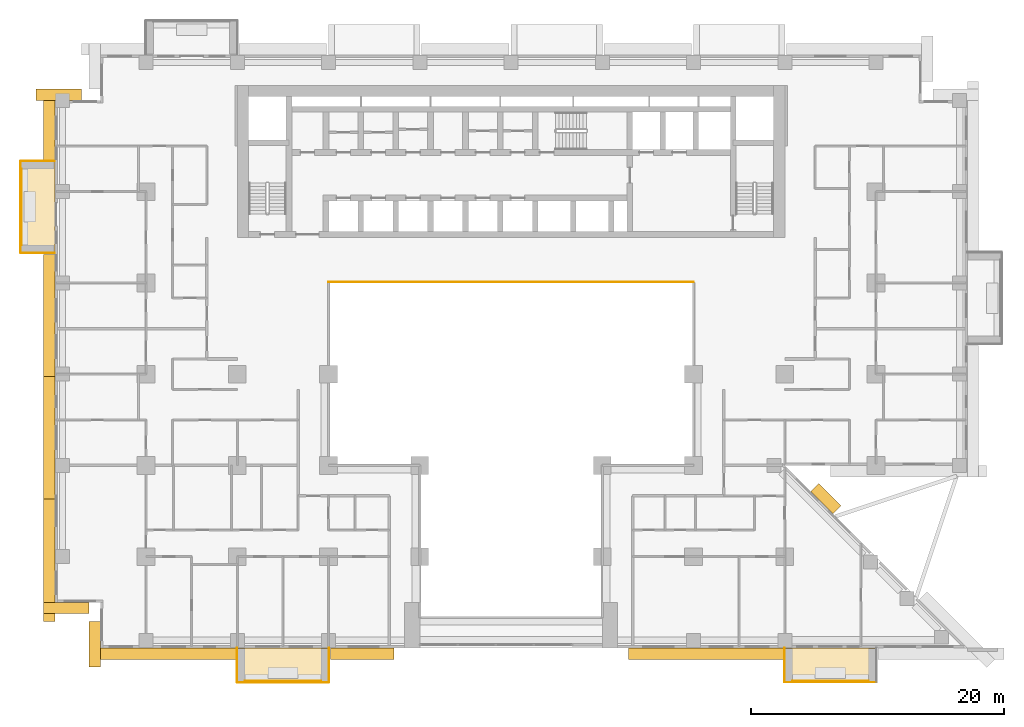
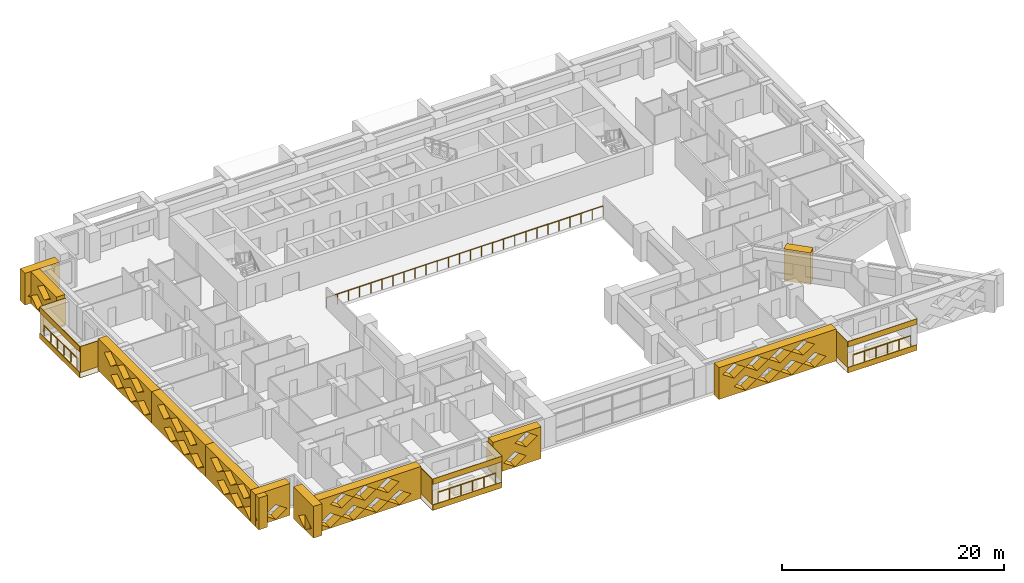
# One storey, part 14 of 17: 25 coverings, 4 railings.
"""IFC4 building model written with IfcOpenShell, lengths in metres."""

from ifc_helpers import new_model, si_unit, direction, frame, origin, origin_2d, place, context, subcontext, project, spatial, polyline, circle, outline, extrude, material, layer, layer_set, type_object, element, save


model = new_model("IFC4")

# Units and contexts
model_context = context("Model", 3, precision=1e-05, world=origin(), true_north=direction((0.0, 1.0)))
body_context = subcontext(model_context, "Body", "Model", "MODEL_VIEW")
ifc_project = project(units=[si_unit("LENGTHUNIT", "METRE"), si_unit("AREAUNIT", "SQUARE_METRE"), si_unit("VOLUMEUNIT", "CUBIC_METRE"), si_unit("PLANEANGLEUNIT", "RADIAN"), si_unit("MASSUNIT", "GRAM", prefix="KILO")], contexts=[model_context])

# Site, building, storey
site_placement = place(None, origin())
site = spatial("IfcSite", under=ifc_project, at=site_placement, CompositionType="ELEMENT")
building_placement = place(site_placement, origin())
building = spatial("IfcBuilding", under=site, at=building_placement, Name="Saffron Iwan Residences", CompositionType="ELEMENT")
storey_placement = place(building_placement, frame((0.0, 0.0, 55.0)))
storey = spatial("IfcBuildingStorey", under=building, at=storey_placement, Name="L13", CompositionType="ELEMENT", Elevation=55.0)

# Railings
ifc_material_1 = material(Name="Stainless steel 316", Category="steel")
railing_type_1 = type_object("IfcRailingType", Name="Atrium guard 1150", PredefinedType="GUARDRAIL", material=ifc_material_1)
railing_1_placement = place(storey_placement, frame((36.0, 62.47509765625, 0.0)))
element("IfcRailing", 1, at=railing_1_placement, inside=storey, type_object=railing_type_1, Name="Atrium guard L13", PredefinedType="GUARDRAIL", context=body_context, shape_type="SweptSolid", body=[
    extrude(circle(Radius=0.02392578125, at=origin_2d()), frame((0.0, 0.0, 1.1259765625), z_axis=(1.0, 0.0, 0.0), x_axis=(0.0, 1.0, 0.0)), (0.0, 0.0, 1.0), 28.800048828125),
    extrude(circle(Radius=0.02099609375, at=origin_2d()), origin(), (0.0, 0.0, 1.0), 1.101806640625),
    extrude(circle(Radius=0.02099609375, at=origin_2d()), frame((1.152099609375, 0.0, 0.0)), (0.0, 0.0, 1.0), 1.101806640625),
    extrude(circle(Radius=0.02099609375, at=origin_2d()), frame((2.303955078125, 0.0, 0.0)), (0.0, 0.0, 1.0), 1.101806640625),
    extrude(circle(Radius=0.02099609375, at=origin_2d()), frame((3.4560546875, 0.0, 0.0)), (0.0, 0.0, 1.0), 1.101806640625),
    extrude(circle(Radius=0.02099609375, at=origin_2d()), frame((4.60791015625, 0.0, 0.0)), (0.0, 0.0, 1.0), 1.101806640625),
    extrude(circle(Radius=0.02099609375, at=origin_2d()), frame((5.760009765625, 0.0, 0.0)), (0.0, 0.0, 1.0), 1.101806640625),
    extrude(circle(Radius=0.02099609375, at=origin_2d()), frame((6.912109375, 0.0, 0.0)), (0.0, 0.0, 1.0), 1.101806640625),
    extrude(circle(Radius=0.02099609375, at=origin_2d()), frame((8.06396484375, 0.0, 0.0)), (0.0, 0.0, 1.0), 1.101806640625),
    extrude(circle(Radius=0.02099609375, at=origin_2d()), frame((9.216064453125, 0.0, 0.0)), (0.0, 0.0, 1.0), 1.101806640625),
    extrude(circle(Radius=0.02099609375, at=origin_2d()), frame((10.367919921875, 0.0, 0.0)), (0.0, 0.0, 1.0), 1.101806640625),
    extrude(circle(Radius=0.02099609375, at=origin_2d()), frame((11.52001953125, 0.0, 0.0)), (0.0, 0.0, 1.0), 1.101806640625),
    extrude(circle(Radius=0.02099609375, at=origin_2d()), frame((12.672119140625, 0.0, 0.0)), (0.0, 0.0, 1.0), 1.101806640625),
    extrude(circle(Radius=0.02099609375, at=origin_2d()), frame((13.823974609375, 0.0, 0.0)), (0.0, 0.0, 1.0), 1.101806640625),
    extrude(circle(Radius=0.02099609375, at=origin_2d()), frame((14.97607421875, 0.0, 0.0)), (0.0, 0.0, 1.0), 1.101806640625),
    extrude(circle(Radius=0.02099609375, at=origin_2d()), frame((16.1279296875, 0.0, 0.0)), (0.0, 0.0, 1.0), 1.101806640625),
    extrude(circle(Radius=0.02099609375, at=origin_2d()), frame((17.280029296875, 0.0, 0.0)), (0.0, 0.0, 1.0), 1.101806640625),
    extrude(circle(Radius=0.02099609375, at=origin_2d()), frame((18.43212890625, 0.0, 0.0)), (0.0, 0.0, 1.0), 1.101806640625),
    extrude(circle(Radius=0.02099609375, at=origin_2d()), frame((19.583984375, 0.0, 0.0)), (0.0, 0.0, 1.0), 1.101806640625),
    extrude(circle(Radius=0.02099609375, at=origin_2d()), frame((20.736083984375, 0.0, 0.0)), (0.0, 0.0, 1.0), 1.101806640625),
    extrude(circle(Radius=0.02099609375, at=origin_2d()), frame((21.887939453125, 0.0, 0.0)), (0.0, 0.0, 1.0), 1.101806640625),
    extrude(circle(Radius=0.02099609375, at=origin_2d()), frame((23.0400390625, 0.0, 0.0)), (0.0, 0.0, 1.0), 1.101806640625),
    extrude(circle(Radius=0.02099609375, at=origin_2d()), frame((24.192138671875, 0.0, 0.0)), (0.0, 0.0, 1.0), 1.101806640625),
    extrude(circle(Radius=0.02099609375, at=origin_2d()), frame((25.343994140625, 0.0, 0.0)), (0.0, 0.0, 1.0), 1.101806640625),
    extrude(circle(Radius=0.02099609375, at=origin_2d()), frame((26.49609375, 0.0, 0.0)), (0.0, 0.0, 1.0), 1.101806640625),
    extrude(circle(Radius=0.02099609375, at=origin_2d()), frame((27.64794921875, 0.0, 0.0)), (0.0, 0.0, 1.0), 1.101806640625),
    extrude(circle(Radius=0.02099609375, at=origin_2d()), frame((28.800048828125, 0.0, 0.0)), (0.0, 0.0, 1.0), 1.101806640625),
])
railing_type_2 = type_object("IfcRailingType", Name="BALCONY GUARD 1150", PredefinedType="GUARDRAIL", material=ifc_material_1)
railing_2_placement = place(storey_placement, frame((11.77490234375, 71.39990234375, 0.0)))
element("IfcRailing", 2, at=railing_2_placement, inside=storey, type_object=railing_type_2, Name="Balcony guard L13 F8-0", PredefinedType="GUARDRAIL", context=body_context, shape_type="SweptSolid", body=[
    extrude(circle(Radius=0.02392578125, at=origin_2d()), frame((0.0, 0.0, 1.1259765625), z_axis=(0.0, -1.0, 0.0), x_axis=(1.0, 0.0, 0.0)), (0.0, 0.0, 1.0), 6.0),
    extrude(circle(Radius=0.02099609375, at=origin_2d()), origin(), (0.0, 0.0, 1.0), 1.101806640625),
    extrude(circle(Radius=0.02099609375, at=origin_2d()), frame((0.0, -1.199951171875, 0.0)), (0.0, 0.0, 1.0), 1.101806640625),
    extrude(circle(Radius=0.02099609375, at=origin_2d()), frame((0.0, -2.39990234375, 0.0)), (0.0, 0.0, 1.0), 1.101806640625),
    extrude(circle(Radius=0.02099609375, at=origin_2d()), frame((0.0, -3.60009765625, 0.0)), (0.0, 0.0, 1.0), 1.101806640625),
    extrude(circle(Radius=0.02099609375, at=origin_2d()), frame((0.0, -4.800048828125, 0.0)), (0.0, 0.0, 1.0), 1.101806640625),
    extrude(circle(Radius=0.02099609375, at=origin_2d()), frame((0.0, -6.0, 0.0)), (0.0, 0.0, 1.0), 1.101806640625),
])
for number, where, name in (
    (3, (29.39990234375, 30.97509765625, 0.0), "Balcony guard L13 11-0"),
    (4, (72.60009765625, 30.97509765625, 0.0), "Balcony guard L13 11-1"),
):
    element("IfcRailing", number, at=place(storey_placement, frame(where)), inside=storey, type_object=railing_type_2, Name=name, PredefinedType="GUARDRAIL", context=body_context, shape_type="SweptSolid", body=[
        extrude(circle(Radius=0.02392578125, at=origin_2d()), frame((0.0, 0.0, 1.1259765625), z_axis=(1.0, 0.0, 0.0), x_axis=(0.0, 1.0, 0.0)), (0.0, 0.0, 1.0), 6.0),
        extrude(circle(Radius=0.02099609375, at=origin_2d()), origin(), (0.0, 0.0, 1.0), 1.101806640625),
        extrude(circle(Radius=0.02099609375, at=origin_2d()), frame((1.199951171875, 0.0, 0.0)), (0.0, 0.0, 1.0), 1.101806640625),
        extrude(circle(Radius=0.02099609375, at=origin_2d()), frame((2.39990234375, 0.0, 0.0)), (0.0, 0.0, 1.0), 1.101806640625),
        extrude(circle(Radius=0.02099609375, at=origin_2d()), frame((3.60009765625, 0.0, 0.0)), (0.0, 0.0, 1.0), 1.101806640625),
        extrude(circle(Radius=0.02099609375, at=origin_2d()), frame((4.800048828125, 0.0, 0.0)), (0.0, 0.0, 1.0), 1.101806640625),
        extrude(circle(Radius=0.02099609375, at=origin_2d()), frame((6.0, 0.0, 0.0)), (0.0, 0.0, 1.0), 1.101806640625),
    ])

# Coverings
ifc_material_2 = material(Name="Precast concrete C40/50 white painted", Category="concrete")
ifc_layer = layer(ifc_material_2, 0.050048828125)
ifc_layer_set = layer_set([ifc_layer], Name="Precast concrete C40/50 white painted")
covering_type_1 = type_object("IfcCoveringType", Name="FRAME SKIN PRECAST WHITE 50", PredefinedType="CLADDING", material=ifc_layer_set)
for number, where, name in (
    (5, (0.0, 0.0, -0.60009765625), "Frame skin slab edge L13 F8-0"),
    (6, (0.0, 0.0, 2.25), "Frame skin fascia L13 F8-0"),
):
    element("IfcCovering", number, at=place(storey_placement, frame(where)), inside=storey, type_object=covering_type_1, Name=name, PredefinedType="CLADDING", context=body_context, shape_type="SweptSolid", body=[
        extrude(outline(polyline([(11.64990234375, 72.0), (11.64990234375, 64.800048828125), (11.699951171875, 64.800048828125), (11.699951171875, 72.0), (11.64990234375, 72.0)])), origin(), (0.0, 0.0, 1.0), 0.60009765625),
    ])
covering_1_placement = place(storey_placement, frame((0.0, 0.0, -0.64990234375)))
element("IfcCovering", 7, at=covering_1_placement, inside=storey, type_object=covering_type_1, Name="Frame skin soffit L13 F8-0", PredefinedType="CLADDING", context=body_context, shape_type="SweptSolid", body=[
    extrude(outline(polyline([(11.699951171875, 72.0), (11.699951171875, 64.800048828125), (14.39990234375, 64.800048828125), (14.39990234375, 72.0), (11.699951171875, 72.0)])), origin(), (0.0, 0.0, 1.0), 0.0498046875),
])
covering_2_placement = place(storey_placement, origin())
element("IfcCovering", 8, at=covering_2_placement, inside=storey, type_object=covering_type_1, Name="Frame skin fin L13 F8-0a", PredefinedType="CLADDING", context=body_context, shape_type="SweptSolid", body=[
    extrude(outline(polyline([(11.699951171875, 72.050048828125), (11.699951171875, 72.0), (14.39990234375, 72.0), (14.39990234375, 72.050048828125), (11.699951171875, 72.050048828125)])), origin(), (0.0, 0.0, 1.0), 2.85009765625),
])
covering_3_placement = place(storey_placement, origin())
element("IfcCovering", 9, at=covering_3_placement, inside=storey, type_object=covering_type_1, Name="Frame skin fin L13 F8-0b", PredefinedType="CLADDING", context=body_context, shape_type="SweptSolid", body=[
    extrude(outline(polyline([(11.699951171875, 64.800048828125), (11.699951171875, 64.75), (14.39990234375, 64.75), (14.39990234375, 64.800048828125), (11.699951171875, 64.800048828125)])), origin(), (0.0, 0.0, 1.0), 2.85009765625),
])
for number, where, name in (
    (10, (0.0, 0.0, -0.60009765625), "Frame skin slab edge L13 11-0"),
    (11, (0.0, 0.0, 2.25), "Frame skin fascia L13 11-0"),
):
    element("IfcCovering", number, at=place(storey_placement, frame(where)), inside=storey, type_object=covering_type_1, Name=name, PredefinedType="CLADDING", context=body_context, shape_type="SweptSolid", body=[
        extrude(outline(polyline([(28.800048828125, 30.85009765625), (36.0, 30.85009765625), (36.0, 30.89990234375), (28.800048828125, 30.89990234375), (28.800048828125, 30.85009765625)])), origin(), (0.0, 0.0, 1.0), 0.60009765625),
    ])
covering_4_placement = place(storey_placement, frame((0.0, 0.0, -0.64990234375)))
element("IfcCovering", 12, at=covering_4_placement, inside=storey, type_object=covering_type_1, Name="Frame skin soffit L13 11-0", PredefinedType="CLADDING", context=body_context, shape_type="SweptSolid", body=[
    extrude(outline(polyline([(28.800048828125, 30.89990234375), (36.0, 30.89990234375), (36.0, 33.60009765625), (28.800048828125, 33.60009765625), (28.800048828125, 30.89990234375)])), origin(), (0.0, 0.0, 1.0), 0.0498046875),
])
covering_5_placement = place(storey_placement, origin())
element("IfcCovering", 13, at=covering_5_placement, inside=storey, type_object=covering_type_1, Name="Frame skin fin L13 11-0a", PredefinedType="CLADDING", context=body_context, shape_type="SweptSolid", body=[
    extrude(outline(polyline([(28.75, 30.89990234375), (28.800048828125, 30.89990234375), (28.800048828125, 33.60009765625), (28.75, 33.60009765625), (28.75, 30.89990234375)])), origin(), (0.0, 0.0, 1.0), 2.85009765625),
])
covering_6_placement = place(storey_placement, origin())
element("IfcCovering", 14, at=covering_6_placement, inside=storey, type_object=covering_type_1, Name="Frame skin fin L13 11-0b", PredefinedType="CLADDING", context=body_context, shape_type="SweptSolid", body=[
    extrude(outline(polyline([(36.0, 30.89990234375), (36.050048828125, 30.89990234375), (36.050048828125, 33.60009765625), (36.0, 33.60009765625), (36.0, 30.89990234375)])), origin(), (0.0, 0.0, 1.0), 2.85009765625),
])
for number, where, name in (
    (15, (0.0, 0.0, -0.60009765625), "Frame skin slab edge L13 11-1"),
    (16, (0.0, 0.0, 2.25), "Frame skin fascia L13 11-1"),
):
    element("IfcCovering", number, at=place(storey_placement, frame(where)), inside=storey, type_object=covering_type_1, Name=name, PredefinedType="CLADDING", context=body_context, shape_type="SweptSolid", body=[
        extrude(outline(polyline([(72.0, 30.85009765625), (79.199951171875, 30.85009765625), (79.199951171875, 30.89990234375), (72.0, 30.89990234375), (72.0, 30.85009765625)])), origin(), (0.0, 0.0, 1.0), 0.60009765625),
    ])
covering_7_placement = place(storey_placement, frame((0.0, 0.0, -0.64990234375)))
element("IfcCovering", 17, at=covering_7_placement, inside=storey, type_object=covering_type_1, Name="Frame skin soffit L13 11-1", PredefinedType="CLADDING", context=body_context, shape_type="SweptSolid", body=[
    extrude(outline(polyline([(72.0, 30.89990234375), (79.199951171875, 30.89990234375), (79.199951171875, 33.60009765625), (72.0, 33.60009765625), (72.0, 30.89990234375)])), origin(), (0.0, 0.0, 1.0), 0.0498046875),
])
covering_8_placement = place(storey_placement, origin())
element("IfcCovering", 18, at=covering_8_placement, inside=storey, type_object=covering_type_1, Name="Frame skin fin L13 11-1a", PredefinedType="CLADDING", context=body_context, shape_type="SweptSolid", body=[
    extrude(outline(polyline([(71.949951171875, 30.89990234375), (72.0, 30.89990234375), (72.0, 33.60009765625), (71.949951171875, 33.60009765625), (71.949951171875, 30.89990234375)])), origin(), (0.0, 0.0, 1.0), 2.85009765625),
])
ifc_material_3 = material(Name="Precast concrete C40/50", Category="concrete")
covering_type_2 = type_object("IfcCoveringType", Name="OUTER SKIN LATTICE SCREEN", PredefinedType="CLADDING", material=ifc_material_3)
covering_9_placement = place(storey_placement, frame((75.805908203125, 44.194091796875, -0.320068359375), z_axis=(0.707106781187, 0.707106781187, 0.0), x_axis=(-0.707106781187, 0.707106781187, 0.0)))
element("IfcCovering", 19, at=covering_9_placement, inside=storey, type_object=covering_type_2, Name="OUTER SKIN lattice screen L13 F0.1", PredefinedType="CLADDING", context=body_context, shape_type="SweptSolid", body=[
    extrude(outline(polyline([(0.0, 0.0), (2.4853515625, 0.0), (2.4853515625, 3.5), (0.0, 3.5), (0.0, 0.0)])), origin(), (0.0, 0.0, 1.0), 0.900146484375),
])
covering_10_placement = place(storey_placement, frame((16.5, 76.800048828125, -0.320068359375), z_axis=(0.0, 1.0, 0.0), x_axis=(-1.0, 0.0, 0.0)))
element("IfcCovering", 20, at=covering_10_placement, inside=storey, type_object=covering_type_2, Name="OUTER SKIN lattice screen L13 F7.0", PredefinedType="CLADDING", context=body_context, shape_type="SweptSolid", body=[
    extrude(outline(polyline([(0.0, 0.0), (3.60009765625, 0.0), (3.60009765625, 3.5), (0.0, 3.5), (0.0, 0.0)]), holes=[polyline([(0.919921875, 0.875), (2.10009765625, 0.06005859375), (3.280029296875, 0.875), (2.10009765625, 1.68994140625), (0.919921875, 0.875)])]), origin(), (0.0, 0.0, 1.0), 0.89990234375),
])
covering_11_placement = place(storey_placement, frame((14.39990234375, 77.699951171875, -0.320068359375), z_axis=(-1.0, 0.0, 0.0), x_axis=(0.0, -1.0, 0.0)))
element("IfcCovering", 21, at=covering_11_placement, inside=storey, type_object=covering_type_2, Name="OUTER SKIN lattice screen L13 F8.0", PredefinedType="CLADDING", context=body_context, shape_type="SweptSolid", body=[
    extrude(outline(polyline([(0.0, 0.0), (5.550048828125, 0.0), (5.550048828125, 3.5), (0.0, 3.5), (0.0, 0.0)]), holes=[polyline([(0.919921875, 0.875), (2.10009765625, 0.06005859375), (3.280029296875, 0.875), (2.10009765625, 1.68994140625), (0.919921875, 0.875)]), polyline([(2.1201171875, 2.625), (3.300048828125, 1.81005859375), (4.47998046875, 2.625), (3.300048828125, 3.43994140625), (2.1201171875, 2.625)])]), origin(), (0.0, 0.0, 1.0), 0.89990234375),
])
covering_12_placement = place(storey_placement, frame((14.39990234375, 64.64990234375, -0.320068359375), z_axis=(-1.0, 0.0, 0.0), x_axis=(0.0, -1.0, 0.0)))
element("IfcCovering", 22, at=covering_12_placement, inside=storey, type_object=covering_type_2, Name="OUTER SKIN lattice screen L13 F8.1", PredefinedType="CLADDING", context=body_context, shape_type="SweptSolid", body=[
    extrude(outline(polyline([(0.0, 0.0), (9.64990234375, 0.0), (9.64990234375, 3.5), (0.0, 3.5), (0.0, 0.0)]), holes=[polyline([(2.27001953125, 0.875), (3.449951171875, 0.06005859375), (4.6298828125, 0.875), (3.449951171875, 1.68994140625), (2.27001953125, 0.875)]), polyline([(4.669921875, 0.875), (5.85009765625, 0.06005859375), (7.030029296875, 0.875), (5.85009765625, 1.68994140625), (4.669921875, 0.875)]), polyline([(7.070068359375, 0.875), (8.25, 0.06005859375), (9.429931640625, 0.875), (8.25, 1.68994140625), (7.070068359375, 0.875)]), polyline([(1.070068359375, 2.625), (2.25, 1.81005859375), (3.429931640625, 2.625), (2.25, 3.43994140625), (1.070068359375, 2.625)]), polyline([(3.469970703125, 2.625), (4.64990234375, 1.81005859375), (5.830078125, 2.625), (4.64990234375, 3.43994140625), (3.469970703125, 2.625)]), polyline([(5.8701171875, 2.625), (7.050048828125, 1.81005859375), (8.22998046875, 2.625), (7.050048828125, 3.43994140625), (5.8701171875, 2.625)])]), origin(), (0.0, 0.0, 1.0), 0.89990234375),
])
covering_13_placement = place(storey_placement, frame((14.39990234375, 55.0, -0.320068359375), z_axis=(-1.0, 0.0, 0.0), x_axis=(0.0, -1.0, 0.0)))
element("IfcCovering", 23, at=covering_13_placement, inside=storey, type_object=covering_type_2, Name="OUTER SKIN lattice screen L13 F8.2", PredefinedType="CLADDING", context=body_context, shape_type="SweptSolid", body=[
    extrude(outline(polyline([(0.0, 0.0), (9.64990234375, 0.0), (9.64990234375, 3.5), (0.0, 3.5), (0.0, 0.0)]), holes=[polyline([(2.219970703125, 0.875), (3.39990234375, 0.06005859375), (4.580078125, 0.875), (3.39990234375, 1.68994140625), (2.219970703125, 0.875)]), polyline([(4.6201171875, 0.875), (5.800048828125, 0.06005859375), (6.97998046875, 0.875), (5.800048828125, 1.68994140625), (4.6201171875, 0.875)]), polyline([(7.02001953125, 0.875), (8.199951171875, 0.06005859375), (9.3798828125, 0.875), (8.199951171875, 1.68994140625), (7.02001953125, 0.875)]), polyline([(1.02001953125, 2.625), (2.199951171875, 1.81005859375), (3.3798828125, 2.625), (2.199951171875, 3.43994140625), (1.02001953125, 2.625)]), polyline([(3.419921875, 2.625), (4.60009765625, 1.81005859375), (5.780029296875, 2.625), (4.60009765625, 3.43994140625), (3.419921875, 2.625)]), polyline([(5.820068359375, 2.625), (7.0, 1.81005859375), (8.179931640625, 2.625), (7.0, 3.43994140625), (5.820068359375, 2.625)])]), origin(), (0.0, 0.0, 1.0), 0.89990234375),
])
covering_14_placement = place(storey_placement, frame((14.39990234375, 45.35009765625, -0.320068359375), z_axis=(-1.0, 0.0, 0.0), x_axis=(0.0, -1.0, 0.0)))
element("IfcCovering", 24, at=covering_14_placement, inside=storey, type_object=covering_type_2, Name="OUTER SKIN lattice screen L13 F8.3", PredefinedType="CLADDING", context=body_context, shape_type="SweptSolid", body=[
    extrude(outline(polyline([(0.0, 0.0), (9.64990234375, 0.0), (9.64990234375, 3.5), (0.0, 3.5), (0.0, 0.0)]), holes=[polyline([(2.169921875, 0.875), (3.35009765625, 0.06005859375), (4.530029296875, 0.875), (3.35009765625, 1.68994140625), (2.169921875, 0.875)]), polyline([(4.570068359375, 0.875), (5.75, 0.06005859375), (6.929931640625, 0.875), (5.75, 1.68994140625), (4.570068359375, 0.875)]), polyline([(6.969970703125, 0.875), (8.14990234375, 0.06005859375), (9.330078125, 0.875), (8.14990234375, 1.68994140625), (6.969970703125, 0.875)]), polyline([(0.969970703125, 2.625), (2.14990234375, 1.81005859375), (3.330078125, 2.625), (2.14990234375, 3.43994140625), (0.969970703125, 2.625)]), polyline([(3.3701171875, 2.625), (4.550048828125, 1.81005859375), (5.72998046875, 2.625), (4.550048828125, 3.43994140625), (3.3701171875, 2.625)]), polyline([(5.77001953125, 2.625), (6.949951171875, 1.81005859375), (8.1298828125, 2.625), (6.949951171875, 3.43994140625), (5.77001953125, 2.625)])]), origin(), (0.0, 0.0, 1.0), 0.89990234375),
])
for number, where, z_axis, x_axis, name in (
    (25, (13.5, 37.199951171875, -0.320068359375), (0.0, -1.0, 0.0), (1.0, 0.0, 0.0), "OUTER SKIN lattice screen L13 F9.0"),
    (26, (18.0, 35.699951171875, -0.320068359375), (-1.0, 0.0, 0.0), (0.0, -1.0, 0.0), "OUTER SKIN lattice screen L13 F10.0"),
):
    element("IfcCovering", number, at=place(storey_placement, frame(where, z_axis=z_axis, x_axis=x_axis)), inside=storey, type_object=covering_type_2, Name=name, PredefinedType="CLADDING", context=body_context, shape_type="SweptSolid", body=[
        extrude(outline(polyline([(0.0, 0.0), (3.60009765625, 0.0), (3.60009765625, 3.5), (0.0, 3.5), (0.0, 0.0)]), holes=[polyline([(0.919921875, 0.875), (2.10009765625, 0.06005859375), (3.280029296875, 0.875), (2.10009765625, 1.68994140625), (0.919921875, 0.875)])]), origin(), (0.0, 0.0, 1.0), 0.89990234375),
    ])
covering_15_placement = place(storey_placement, frame((17.10009765625, 33.60009765625, -0.320068359375), z_axis=(0.0, -1.0, 0.0), x_axis=(1.0, 0.0, 0.0)))
element("IfcCovering", 27, at=covering_15_placement, inside=storey, type_object=covering_type_2, Name="OUTER SKIN lattice screen L13 F11.0", PredefinedType="CLADDING", context=body_context, shape_type="SweptSolid", body=[
    extrude(outline(polyline([(0.0, 0.0), (11.550048828125, 0.0), (11.550048828125, 3.5), (0.0, 3.5), (0.0, 0.0)]), holes=[polyline([(0.919921875, 0.875), (2.10009765625, 0.06005859375), (3.280029296875, 0.875), (2.10009765625, 1.68994140625), (0.919921875, 0.875)]), polyline([(3.320068359375, 0.875), (4.5, 0.06005859375), (5.679931640625, 0.875), (4.5, 1.68994140625), (3.320068359375, 0.875)]), polyline([(5.719970703125, 0.875), (6.89990234375, 0.06005859375), (8.080078125, 0.875), (6.89990234375, 1.68994140625), (5.719970703125, 0.875)]), polyline([(8.1201171875, 0.875), (9.300048828125, 0.06005859375), (10.47998046875, 0.875), (9.300048828125, 1.68994140625), (8.1201171875, 0.875)]), polyline([(2.1201171875, 2.625), (3.300048828125, 1.81005859375), (4.47998046875, 2.625), (3.300048828125, 3.43994140625), (2.1201171875, 2.625)]), polyline([(4.52001953125, 2.625), (5.699951171875, 1.81005859375), (6.8798828125, 2.625), (5.699951171875, 3.43994140625), (4.52001953125, 2.625)]), polyline([(6.919921875, 2.625), (8.10009765625, 1.81005859375), (9.280029296875, 2.625), (8.10009765625, 3.43994140625), (6.919921875, 2.625)])]), origin(), (0.0, 0.0, 1.0), 0.900146484375),
])
covering_16_placement = place(storey_placement, frame((36.14990234375, 33.60009765625, -0.320068359375), z_axis=(0.0, -1.0, 0.0), x_axis=(1.0, 0.0, 0.0)))
element("IfcCovering", 28, at=covering_16_placement, inside=storey, type_object=covering_type_2, Name="OUTER SKIN lattice screen L13 F11.1", PredefinedType="CLADDING", context=body_context, shape_type="SweptSolid", body=[
    extrude(outline(polyline([(0.0, 0.0), (5.0, 0.0), (5.0, 3.5), (0.0, 3.5), (0.0, 0.0)]), holes=[polyline([(1.070068359375, 0.875), (2.25, 0.06005859375), (3.429931640625, 0.875), (2.25, 1.68994140625), (1.070068359375, 0.875)]), polyline([(2.27001953125, 2.625), (3.449951171875, 1.81005859375), (4.6298828125, 2.625), (3.449951171875, 3.43994140625), (2.27001953125, 2.625)])]), origin(), (0.0, 0.0, 1.0), 0.900146484375),
])
covering_17_placement = place(storey_placement, frame((59.64990234375, 33.60009765625, -0.320068359375), z_axis=(0.0, -1.0, 0.0), x_axis=(1.0, 0.0, 0.0)))
element("IfcCovering", 29, at=covering_17_placement, inside=storey, type_object=covering_type_2, Name="OUTER SKIN lattice screen L13 F11.2", PredefinedType="CLADDING", context=body_context, shape_type="SweptSolid", body=[
    extrude(outline(polyline([(0.0, 0.0), (12.199951171875, 0.0), (12.199951171875, 3.5), (0.0, 3.5), (0.0, 0.0)]), holes=[polyline([(1.570068359375, 0.875), (2.75, 0.06005859375), (3.929931640625, 0.875), (2.75, 1.68994140625), (1.570068359375, 0.875)]), polyline([(3.969970703125, 0.875), (5.14990234375, 0.06005859375), (6.330078125, 0.875), (5.14990234375, 1.68994140625), (3.969970703125, 0.875)]), polyline([(6.3701171875, 0.875), (7.550048828125, 0.06005859375), (8.72998046875, 0.875), (7.550048828125, 1.68994140625), (6.3701171875, 0.875)]), polyline([(8.77001953125, 0.875), (9.949951171875, 0.06005859375), (11.1298828125, 0.875), (9.949951171875, 1.68994140625), (8.77001953125, 0.875)]), polyline([(0.3701171875, 2.625), (1.550048828125, 1.81005859375), (2.72998046875, 2.625), (1.550048828125, 3.43994140625), (0.3701171875, 2.625)]), polyline([(2.77001953125, 2.625), (3.949951171875, 1.81005859375), (5.1298828125, 2.625), (3.949951171875, 3.43994140625), (2.77001953125, 2.625)]), polyline([(5.169921875, 2.625), (6.35009765625, 1.81005859375), (7.530029296875, 2.625), (6.35009765625, 3.43994140625), (5.169921875, 2.625)]), polyline([(7.570068359375, 2.625), (8.75, 1.81005859375), (9.929931640625, 2.625), (8.75, 3.43994140625), (7.570068359375, 2.625)])]), origin(), (0.0, 0.0, 1.0), 0.900146484375),
])

save(model, "model.ifc")
